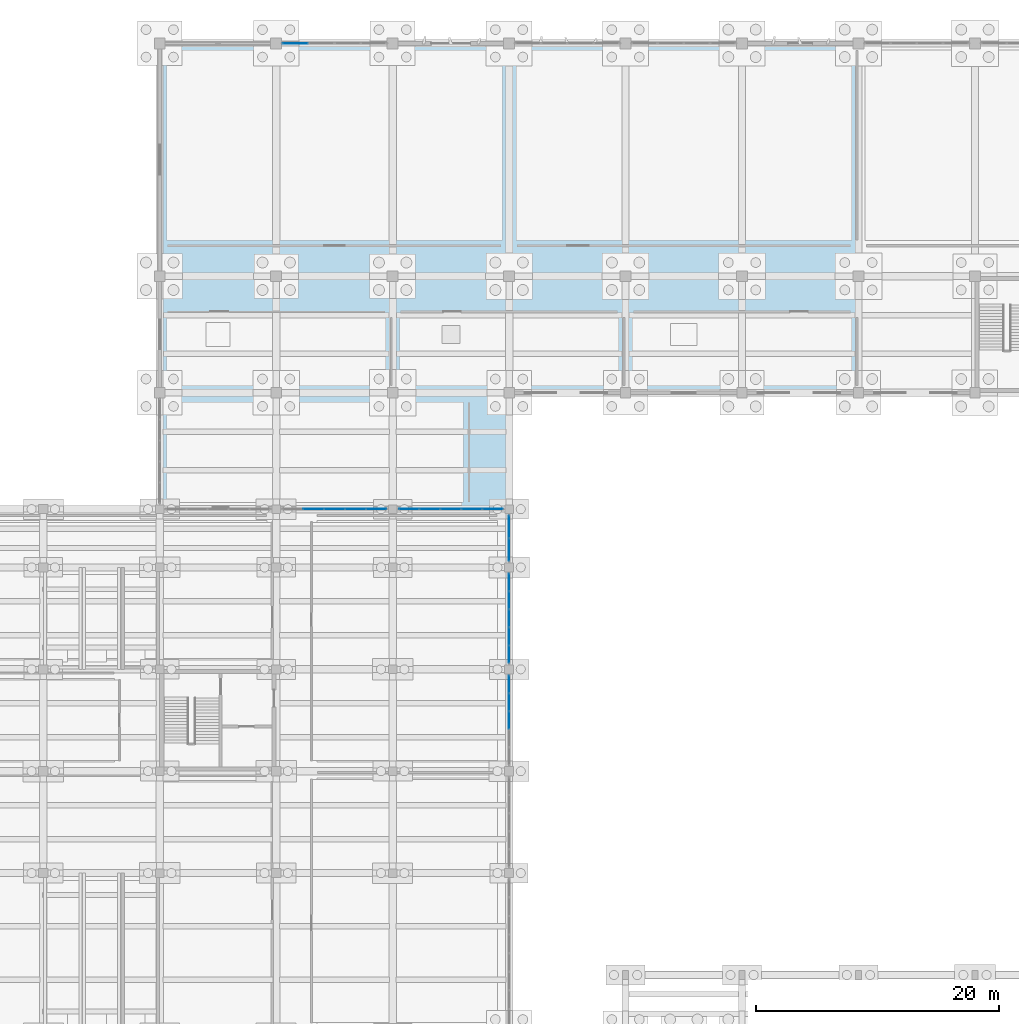
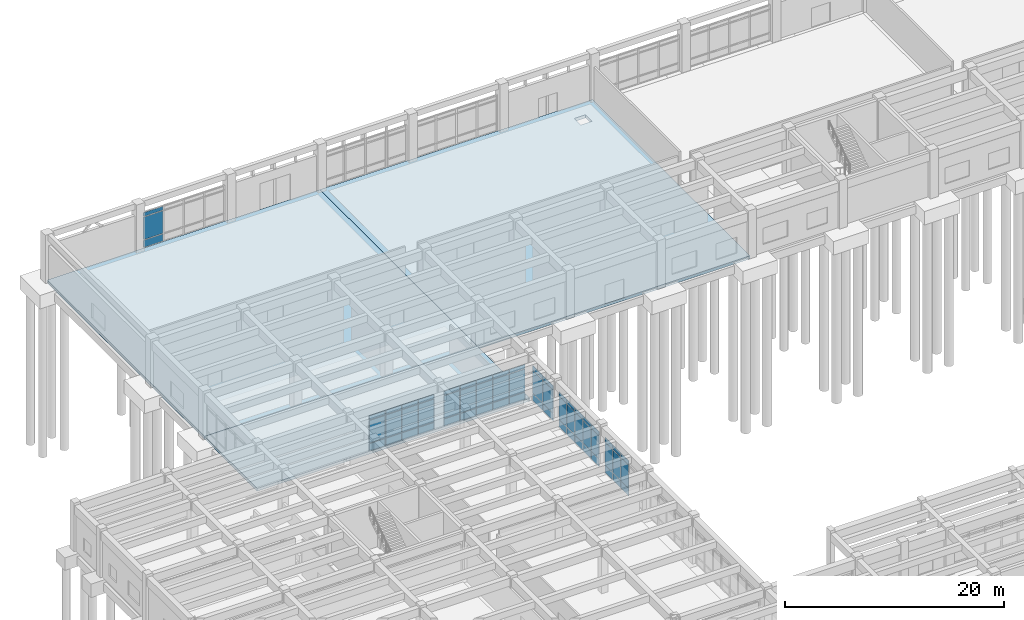
# One storey, part 60 of 102: 60 plates, 3 slabs, 6 elements without a shape of their own.
"""IFC4 building model written with IfcOpenShell, lengths in metres."""

from ifc_helpers import new_model, si_unit, direction, frame, origin, origin_2d, place, context, subcontext, project, spatial, polyline, rectangle, outline, extrude, material, layer, layer_set, type_object, element, aggregate, save


model = new_model("IFC4")

# Units and contexts
model_context = context("Model", 3, precision=1e-05, world=origin(), true_north=direction((0.0, 1.0)))
body_context = subcontext(model_context, "Body", "Model", "MODEL_VIEW")
ifc_project = project(units=[si_unit("LENGTHUNIT", "METRE"), si_unit("AREAUNIT", "SQUARE_METRE"), si_unit("VOLUMEUNIT", "CUBIC_METRE"), si_unit("PLANEANGLEUNIT", "RADIAN"), si_unit("MASSUNIT", "GRAM", prefix="KILO")], contexts=[model_context])

# Site, building, storey
site_placement = place(None, origin())
site = spatial("IfcSite", under=ifc_project, at=site_placement, CompositionType="ELEMENT")
building_placement = place(site_placement, origin())
building = spatial("IfcBuilding", under=site, at=building_placement, Name="Kolvemor Railside Polytechnic", CompositionType="ELEMENT")
storey_placement = place(building_placement, origin())
storey = spatial("IfcBuildingStorey", under=building, at=storey_placement, Name="L00", CompositionType="ELEMENT", Elevation=0.0)

# Curtain wall, plates
ifc_material_1 = material(Name="Anodised marine aluminium and laminated low-E glass", Category="aluminium")
ifc_layer_1 = layer(ifc_material_1, 0.179931640625, Name="CW-UNIT-WKS")
ifc_layer_set_1 = layer_set([ifc_layer_1], Name="Anodised marine aluminium and laminated low-E glass")
curtain_wall_type_1 = type_object("IfcCurtainWallType", Name="CW-UNIT-WKS", PredefinedType="USERDEFINED", material=ifc_layer_set_1)
curtain_wall_1_placement = place(storey_placement, origin())
curtain_wall_1 = element("IfcCurtainWall", 1, at=curtain_wall_1_placement, inside=storey, type_object=curtain_wall_type_1, Name="Curtain Wall L00-001", ObjectType="UNITISED CURTAIN WALL", PredefinedType="USERDEFINED")
ifc_material_2 = material(Name="Hurricane-laminated solar-control low-E glass", Category="glass")
ifc_layer_2 = layer(ifc_material_2, 0.02587890625, Name="CWP-GLZ-03")
ifc_layer_set_2 = layer_set([ifc_layer_2], Name="Hurricane-laminated solar-control low-E glass")
plate_type_1 = type_object("IfcPlateType", Name="CWP-GLZ-03", PredefinedType="CURTAIN_PANEL", material=ifc_layer_set_2)
plate_1_placement = place(storey_placement, frame((30.371337890625, 120.0, 0.074951171875), z_axis=(0.0, 0.0, 1.0), x_axis=(-1.0, 0.0, 0.0)))
plate_1 = element("IfcPlate", 2, at=plate_1_placement, type_object=plate_type_1, Name="CW-WKS panel 4.1", PredefinedType="CURTAIN_PANEL", context=body_context, shape_type="SweptSolid", body=[
    extrude(rectangle(XDim=2.052490234375, YDim=0.02587890625, at=origin_2d()), origin(), (0.0, 0.0, 1.0), 0.78759765625),
])
plate_2_placement = place(storey_placement, frame((30.371337890625, 120.0, 0.9375), z_axis=(0.0, 0.0, 1.0), x_axis=(-1.0, 0.0, 0.0)))
plate_2 = element("IfcPlate", 3, at=plate_2_placement, type_object=plate_type_1, Name="CW-WKS panel 4.2", PredefinedType="CURTAIN_PANEL", context=body_context, shape_type="SweptSolid", body=[
    extrude(rectangle(XDim=2.052490234375, YDim=0.02587890625, at=origin_2d()), origin(), (0.0, 0.0, 1.0), 2.514892578125),
])
plate_3_placement = place(storey_placement, frame((30.371337890625, 120.0, 3.527587890625), z_axis=(0.0, 0.0, 1.0), x_axis=(-1.0, 0.0, 0.0)))
plate_3 = element("IfcPlate", 4, at=plate_3_placement, type_object=plate_type_1, Name="CW-WKS panel 4.3", PredefinedType="CURTAIN_PANEL", context=body_context, shape_type="SweptSolid", body=[
    extrude(rectangle(XDim=2.052490234375, YDim=0.02587890625, at=origin_2d()), origin(), (0.0, 0.0, 1.0), 0.4375),
])
aggregate(curtain_wall_1, [plate_1, plate_2, plate_3])

ifc_material_3 = material(Name="Anodised marine aluminium and laminated low-E glass", Category="aluminium")
ifc_layer_3 = layer(ifc_material_3, 0.179931640625, Name="CW-UNIT-STD")
ifc_layer_set_3 = layer_set([ifc_layer_3], Name="Anodised marine aluminium and laminated low-E glass")
curtain_wall_type_2 = type_object("IfcCurtainWallType", Name="CW-UNIT-STD", PredefinedType="USERDEFINED", material=ifc_layer_set_3)
curtain_wall_2_placement = place(storey_placement, origin())
curtain_wall_2 = element("IfcCurtainWall", 5, at=curtain_wall_2_placement, inside=storey, type_object=curtain_wall_type_2, Name="Curtain Wall L00-075", ObjectType="UNITISED CURTAIN WALL", PredefinedType="USERDEFINED")
ifc_material_4 = material(Name="Hurricane-laminated solar-control low-E glass", Category="glass")
ifc_layer_4 = layer(ifc_material_4, 0.0400390625, Name="CWP-GLZ-10")
ifc_layer_set_4 = layer_set([ifc_layer_4], Name="Hurricane-laminated solar-control low-E glass")
plate_type_2 = type_object("IfcPlateType", Name="CWP-GLZ-10", PredefinedType="CURTAIN_PANEL", material=ifc_layer_set_4)
plate_4_placement = place(storey_placement, frame((48.0, 64.199951171875, 0.06494140625), z_axis=(0.0, 0.0, 1.0), x_axis=(0.0, 1.0, 0.0)))
plate_4 = element("IfcPlate", 6, at=plate_4_placement, type_object=plate_type_2, Name="CW-STD panel 3.1", PredefinedType="CURTAIN_PANEL", context=body_context, shape_type="SweptSolid", body=[
    extrude(rectangle(XDim=1.427001953125, YDim=0.0400390625, at=origin_2d()), origin(), (0.0, 0.0, 1.0), 0.802490234375),
])
plate_5_placement = place(storey_placement, frame((48.0, 64.199951171875, 0.9326171875), z_axis=(0.0, 0.0, 1.0), x_axis=(0.0, 1.0, 0.0)))
plate_5 = element("IfcPlate", 7, at=plate_5_placement, type_object=plate_type_2, Name="CW-STD panel 3.2", PredefinedType="CURTAIN_PANEL", context=body_context, shape_type="SweptSolid", body=[
    extrude(rectangle(XDim=1.427001953125, YDim=0.0400390625, at=origin_2d()), origin(), (0.0, 0.0, 1.0), 2.52490234375),
])
plate_6_placement = place(storey_placement, frame((48.0, 64.199951171875, 3.5224609375), z_axis=(0.0, 0.0, 1.0), x_axis=(0.0, 1.0, 0.0)))
plate_6 = element("IfcPlate", 8, at=plate_6_placement, type_object=plate_type_2, Name="CW-STD panel 3.3", PredefinedType="CURTAIN_PANEL", context=body_context, shape_type="SweptSolid", body=[
    extrude(rectangle(XDim=1.427001953125, YDim=0.0400390625, at=origin_2d()), origin(), (0.0, 0.0, 1.0), 0.452392578125),
])
plate_7_placement = place(storey_placement, frame((48.0, 65.69189453125, 0.06494140625), z_axis=(0.0, 0.0, 1.0), x_axis=(0.0, 1.0, 0.0)))
plate_7 = element("IfcPlate", 9, at=plate_7_placement, type_object=plate_type_2, Name="CW-STD panel 4.1", PredefinedType="CURTAIN_PANEL", context=body_context, shape_type="SweptSolid", body=[
    extrude(rectangle(XDim=1.427001953125, YDim=0.0400390625, at=origin_2d()), origin(), (0.0, 0.0, 1.0), 0.802490234375),
])
plate_8_placement = place(storey_placement, frame((48.0, 65.69189453125, 0.9326171875), z_axis=(0.0, 0.0, 1.0), x_axis=(0.0, 1.0, 0.0)))
plate_8 = element("IfcPlate", 10, at=plate_8_placement, type_object=plate_type_2, Name="CW-STD panel 4.2", PredefinedType="CURTAIN_PANEL", context=body_context, shape_type="SweptSolid", body=[
    extrude(rectangle(XDim=1.427001953125, YDim=0.0400390625, at=origin_2d()), origin(), (0.0, 0.0, 1.0), 2.52490234375),
])
plate_9_placement = place(storey_placement, frame((48.0, 65.69189453125, 3.5224609375), z_axis=(0.0, 0.0, 1.0), x_axis=(0.0, 1.0, 0.0)))
plate_9 = element("IfcPlate", 11, at=plate_9_placement, type_object=plate_type_2, Name="CW-STD panel 4.3", PredefinedType="CURTAIN_PANEL", context=body_context, shape_type="SweptSolid", body=[
    extrude(rectangle(XDim=1.427001953125, YDim=0.0400390625, at=origin_2d()), origin(), (0.0, 0.0, 1.0), 0.452392578125),
])
plate_10_placement = place(storey_placement, frame((48.0, 67.167724609375, 0.06494140625), z_axis=(0.0, 0.0, 1.0), x_axis=(0.0, 1.0, 0.0)))
plate_10 = element("IfcPlate", 12, at=plate_10_placement, type_object=plate_type_2, Name="CW-STD panel 5.1", PredefinedType="CURTAIN_PANEL", context=body_context, shape_type="SweptSolid", body=[
    extrude(rectangle(XDim=1.39453125, YDim=0.0400390625, at=origin_2d()), origin(), (0.0, 0.0, 1.0), 0.802490234375),
])
plate_11_placement = place(storey_placement, frame((48.0, 67.167724609375, 0.9326171875), z_axis=(0.0, 0.0, 1.0), x_axis=(0.0, 1.0, 0.0)))
plate_11 = element("IfcPlate", 13, at=plate_11_placement, type_object=plate_type_2, Name="CW-STD panel 5.2", PredefinedType="CURTAIN_PANEL", context=body_context, shape_type="SweptSolid", body=[
    extrude(rectangle(XDim=1.39453125, YDim=0.0400390625, at=origin_2d()), origin(), (0.0, 0.0, 1.0), 2.52490234375),
])
plate_12_placement = place(storey_placement, frame((48.0, 67.167724609375, 3.5224609375), z_axis=(0.0, 0.0, 1.0), x_axis=(0.0, 1.0, 0.0)))
plate_12 = element("IfcPlate", 14, at=plate_12_placement, type_object=plate_type_2, Name="CW-STD panel 5.3", PredefinedType="CURTAIN_PANEL", context=body_context, shape_type="SweptSolid", body=[
    extrude(rectangle(XDim=1.39453125, YDim=0.0400390625, at=origin_2d()), origin(), (0.0, 0.0, 1.0), 0.452392578125),
])
aggregate(curtain_wall_2, [plate_4, plate_5, plate_6, plate_7, plate_8, plate_9, plate_10, plate_11, plate_12])

curtain_wall_3_placement = place(storey_placement, origin())
curtain_wall_3 = element("IfcCurtainWall", 15, at=curtain_wall_3_placement, inside=storey, type_object=curtain_wall_type_2, Name="Curtain Wall L00-082", ObjectType="UNITISED CURTAIN WALL", PredefinedType="USERDEFINED")
ifc_material_5 = material(Name="Hurricane-laminated solar-control low-E glass", Category="glass")
ifc_layer_5 = layer(ifc_material_5, 0.0419921875, Name="CWP-GLZ-11")
ifc_layer_set_5 = layer_set([ifc_layer_5], Name="Hurricane-laminated solar-control low-E glass")
plate_type_3 = type_object("IfcPlateType", Name="CWP-GLZ-11", PredefinedType="CURTAIN_PANEL", material=ifc_layer_set_5)
plate_13_placement = place(storey_placement, frame((48.0, 69.63232421875, 0.06494140625), z_axis=(0.0, 0.0, 1.0), x_axis=(0.0, 1.0, 0.0)))
plate_13 = element("IfcPlate", 16, at=plate_13_placement, type_object=plate_type_3, Name="CW-STD panel 1.1", PredefinedType="CURTAIN_PANEL", context=body_context, shape_type="SweptSolid", body=[
    extrude(rectangle(XDim=1.39453125, YDim=0.0419921875, at=origin_2d()), origin(), (0.0, 0.0, 1.0), 0.802490234375),
])
plate_14_placement = place(storey_placement, frame((48.0, 69.63232421875, 0.9326171875), z_axis=(0.0, 0.0, 1.0), x_axis=(0.0, 1.0, 0.0)))
plate_14 = element("IfcPlate", 17, at=plate_14_placement, type_object=plate_type_3, Name="CW-STD panel 1.2", PredefinedType="CURTAIN_PANEL", context=body_context, shape_type="SweptSolid", body=[
    extrude(rectangle(XDim=1.39453125, YDim=0.0419921875, at=origin_2d()), origin(), (0.0, 0.0, 1.0), 2.52490234375),
])
plate_15_placement = place(storey_placement, frame((48.0, 69.63232421875, 3.5224609375), z_axis=(0.0, 0.0, 1.0), x_axis=(0.0, 1.0, 0.0)))
plate_15 = element("IfcPlate", 18, at=plate_15_placement, type_object=plate_type_3, Name="CW-STD panel 1.3", PredefinedType="CURTAIN_PANEL", context=body_context, shape_type="SweptSolid", body=[
    extrude(rectangle(XDim=1.39453125, YDim=0.0419921875, at=origin_2d()), origin(), (0.0, 0.0, 1.0), 0.452392578125),
])
plate_16_placement = place(storey_placement, frame((48.0, 71.10791015625, 0.06494140625), z_axis=(0.0, 0.0, 1.0), x_axis=(0.0, 1.0, 0.0)))
plate_16 = element("IfcPlate", 19, at=plate_16_placement, type_object=plate_type_3, Name="CW-STD panel 2.1", PredefinedType="CURTAIN_PANEL", context=body_context, shape_type="SweptSolid", body=[
    extrude(rectangle(XDim=1.427001953125, YDim=0.0419921875, at=origin_2d()), origin(), (0.0, 0.0, 1.0), 0.802490234375),
])
plate_17_placement = place(storey_placement, frame((48.0, 71.10791015625, 0.9326171875), z_axis=(0.0, 0.0, 1.0), x_axis=(0.0, 1.0, 0.0)))
plate_17 = element("IfcPlate", 20, at=plate_17_placement, type_object=plate_type_3, Name="CW-STD panel 2.2", PredefinedType="CURTAIN_PANEL", context=body_context, shape_type="SweptSolid", body=[
    extrude(rectangle(XDim=1.427001953125, YDim=0.0419921875, at=origin_2d()), origin(), (0.0, 0.0, 1.0), 2.52490234375),
])
plate_18_placement = place(storey_placement, frame((48.0, 71.10791015625, 3.5224609375), z_axis=(0.0, 0.0, 1.0), x_axis=(0.0, 1.0, 0.0)))
plate_18 = element("IfcPlate", 21, at=plate_18_placement, type_object=plate_type_3, Name="CW-STD panel 2.3", PredefinedType="CURTAIN_PANEL", context=body_context, shape_type="SweptSolid", body=[
    extrude(rectangle(XDim=1.427001953125, YDim=0.0419921875, at=origin_2d()), origin(), (0.0, 0.0, 1.0), 0.452392578125),
])
plate_19_placement = place(storey_placement, frame((48.0, 72.60009765625, 0.06494140625), z_axis=(0.0, 0.0, 1.0), x_axis=(0.0, 1.0, 0.0)))
plate_19 = element("IfcPlate", 22, at=plate_19_placement, type_object=plate_type_3, Name="CW-STD panel 3.1", PredefinedType="CURTAIN_PANEL", context=body_context, shape_type="SweptSolid", body=[
    extrude(rectangle(XDim=1.427001953125, YDim=0.0419921875, at=origin_2d()), origin(), (0.0, 0.0, 1.0), 0.802490234375),
])
plate_20_placement = place(storey_placement, frame((48.0, 72.60009765625, 0.9326171875), z_axis=(0.0, 0.0, 1.0), x_axis=(0.0, 1.0, 0.0)))
plate_20 = element("IfcPlate", 23, at=plate_20_placement, type_object=plate_type_3, Name="CW-STD panel 3.2", PredefinedType="CURTAIN_PANEL", context=body_context, shape_type="SweptSolid", body=[
    extrude(rectangle(XDim=1.427001953125, YDim=0.0419921875, at=origin_2d()), origin(), (0.0, 0.0, 1.0), 2.52490234375),
])
plate_21_placement = place(storey_placement, frame((48.0, 72.60009765625, 3.5224609375), z_axis=(0.0, 0.0, 1.0), x_axis=(0.0, 1.0, 0.0)))
plate_21 = element("IfcPlate", 24, at=plate_21_placement, type_object=plate_type_3, Name="CW-STD panel 3.3", PredefinedType="CURTAIN_PANEL", context=body_context, shape_type="SweptSolid", body=[
    extrude(rectangle(XDim=1.427001953125, YDim=0.0419921875, at=origin_2d()), origin(), (0.0, 0.0, 1.0), 0.452392578125),
])
plate_22_placement = place(storey_placement, frame((48.0, 74.092041015625, 0.06494140625), z_axis=(0.0, 0.0, 1.0), x_axis=(0.0, 1.0, 0.0)))
plate_22 = element("IfcPlate", 25, at=plate_22_placement, type_object=plate_type_3, Name="CW-STD panel 4.1", PredefinedType="CURTAIN_PANEL", context=body_context, shape_type="SweptSolid", body=[
    extrude(rectangle(XDim=1.427001953125, YDim=0.0419921875, at=origin_2d()), origin(), (0.0, 0.0, 1.0), 0.802490234375),
])
plate_23_placement = place(storey_placement, frame((48.0, 74.092041015625, 0.9326171875), z_axis=(0.0, 0.0, 1.0), x_axis=(0.0, 1.0, 0.0)))
plate_23 = element("IfcPlate", 26, at=plate_23_placement, type_object=plate_type_3, Name="CW-STD panel 4.2", PredefinedType="CURTAIN_PANEL", context=body_context, shape_type="SweptSolid", body=[
    extrude(rectangle(XDim=1.427001953125, YDim=0.0419921875, at=origin_2d()), origin(), (0.0, 0.0, 1.0), 2.52490234375),
])
plate_24_placement = place(storey_placement, frame((48.0, 74.092041015625, 3.5224609375), z_axis=(0.0, 0.0, 1.0), x_axis=(0.0, 1.0, 0.0)))
plate_24 = element("IfcPlate", 27, at=plate_24_placement, type_object=plate_type_3, Name="CW-STD panel 4.3", PredefinedType="CURTAIN_PANEL", context=body_context, shape_type="SweptSolid", body=[
    extrude(rectangle(XDim=1.427001953125, YDim=0.0419921875, at=origin_2d()), origin(), (0.0, 0.0, 1.0), 0.452392578125),
])
plate_25_placement = place(storey_placement, frame((48.0, 75.56787109375, 0.06494140625), z_axis=(0.0, 0.0, 1.0), x_axis=(0.0, 1.0, 0.0)))
plate_25 = element("IfcPlate", 28, at=plate_25_placement, type_object=plate_type_3, Name="CW-STD panel 5.1", PredefinedType="CURTAIN_PANEL", context=body_context, shape_type="SweptSolid", body=[
    extrude(rectangle(XDim=1.39453125, YDim=0.0419921875, at=origin_2d()), origin(), (0.0, 0.0, 1.0), 0.802490234375),
])
plate_26_placement = place(storey_placement, frame((48.0, 75.56787109375, 0.9326171875), z_axis=(0.0, 0.0, 1.0), x_axis=(0.0, 1.0, 0.0)))
plate_26 = element("IfcPlate", 29, at=plate_26_placement, type_object=plate_type_3, Name="CW-STD panel 5.2", PredefinedType="CURTAIN_PANEL", context=body_context, shape_type="SweptSolid", body=[
    extrude(rectangle(XDim=1.39453125, YDim=0.0419921875, at=origin_2d()), origin(), (0.0, 0.0, 1.0), 2.52490234375),
])
plate_27_placement = place(storey_placement, frame((48.0, 75.56787109375, 3.5224609375), z_axis=(0.0, 0.0, 1.0), x_axis=(0.0, 1.0, 0.0)))
plate_27 = element("IfcPlate", 30, at=plate_27_placement, type_object=plate_type_3, Name="CW-STD panel 5.3", PredefinedType="CURTAIN_PANEL", context=body_context, shape_type="SweptSolid", body=[
    extrude(rectangle(XDim=1.39453125, YDim=0.0419921875, at=origin_2d()), origin(), (0.0, 0.0, 1.0), 0.452392578125),
])
aggregate(curtain_wall_3, [plate_13, plate_14, plate_15, plate_16, plate_17, plate_18, plate_19, plate_20, plate_21, plate_22, plate_23, plate_24, plate_25, plate_26, plate_27])

curtain_wall_4_placement = place(storey_placement, origin())
curtain_wall_4 = element("IfcCurtainWall", 31, at=curtain_wall_4_placement, inside=storey, type_object=curtain_wall_type_2, Name="Curtain Wall L00-089", ObjectType="UNITISED CURTAIN WALL", PredefinedType="USERDEFINED")
ifc_material_6 = material(Name="Hurricane-laminated solar-control low-E glass", Category="glass")
ifc_layer_6 = layer(ifc_material_6, 0.0439453125, Name="CWP-GLZ-12")
ifc_layer_set_6 = layer_set([ifc_layer_6], Name="Hurricane-laminated solar-control low-E glass")
plate_type_4 = type_object("IfcPlateType", Name="CWP-GLZ-12", PredefinedType="CURTAIN_PANEL", material=ifc_layer_set_6)
plate_28_placement = place(storey_placement, frame((48.0, 78.251220703125, 0.06494140625), z_axis=(0.0, 0.0, 1.0), x_axis=(0.0, 1.0, 0.0)))
plate_28 = element("IfcPlate", 32, at=plate_28_placement, type_object=plate_type_4, Name="CW-STD panel 1.1", PredefinedType="CURTAIN_PANEL", context=body_context, shape_type="SweptSolid", body=[
    extrude(rectangle(XDim=1.83251953125, YDim=0.0439453125, at=origin_2d()), origin(), (0.0, 0.0, 1.0), 0.802490234375),
])
plate_29_placement = place(storey_placement, frame((48.0, 78.251220703125, 0.9326171875), z_axis=(0.0, 0.0, 1.0), x_axis=(0.0, 1.0, 0.0)))
plate_29 = element("IfcPlate", 33, at=plate_29_placement, type_object=plate_type_4, Name="CW-STD panel 1.2", PredefinedType="CURTAIN_PANEL", context=body_context, shape_type="SweptSolid", body=[
    extrude(rectangle(XDim=1.83251953125, YDim=0.0439453125, at=origin_2d()), origin(), (0.0, 0.0, 1.0), 2.52490234375),
])
plate_30_placement = place(storey_placement, frame((48.0, 78.251220703125, 3.5224609375), z_axis=(0.0, 0.0, 1.0), x_axis=(0.0, 1.0, 0.0)))
plate_30 = element("IfcPlate", 34, at=plate_30_placement, type_object=plate_type_4, Name="CW-STD panel 1.3", PredefinedType="CURTAIN_PANEL", context=body_context, shape_type="SweptSolid", body=[
    extrude(rectangle(XDim=1.83251953125, YDim=0.0439453125, at=origin_2d()), origin(), (0.0, 0.0, 1.0), 0.452392578125),
])
plate_31_placement = place(storey_placement, frame((48.0, 80.148681640625, 0.06494140625), z_axis=(0.0, 0.0, 1.0), x_axis=(0.0, 1.0, 0.0)))
plate_31 = element("IfcPlate", 35, at=plate_31_placement, type_object=plate_type_4, Name="CW-STD panel 2.1", PredefinedType="CURTAIN_PANEL", context=body_context, shape_type="SweptSolid", body=[
    extrude(rectangle(XDim=1.83251953125, YDim=0.0439453125, at=origin_2d()), origin(), (0.0, 0.0, 1.0), 0.802490234375),
])
plate_32_placement = place(storey_placement, frame((48.0, 80.148681640625, 0.9326171875), z_axis=(0.0, 0.0, 1.0), x_axis=(0.0, 1.0, 0.0)))
plate_32 = element("IfcPlate", 36, at=plate_32_placement, type_object=plate_type_4, Name="CW-STD panel 2.2", PredefinedType="CURTAIN_PANEL", context=body_context, shape_type="SweptSolid", body=[
    extrude(rectangle(XDim=1.83251953125, YDim=0.0439453125, at=origin_2d()), origin(), (0.0, 0.0, 1.0), 2.52490234375),
])
plate_33_placement = place(storey_placement, frame((48.0, 80.148681640625, 3.5224609375), z_axis=(0.0, 0.0, 1.0), x_axis=(0.0, 1.0, 0.0)))
plate_33 = element("IfcPlate", 37, at=plate_33_placement, type_object=plate_type_4, Name="CW-STD panel 2.3", PredefinedType="CURTAIN_PANEL", context=body_context, shape_type="SweptSolid", body=[
    extrude(rectangle(XDim=1.83251953125, YDim=0.0439453125, at=origin_2d()), origin(), (0.0, 0.0, 1.0), 0.452392578125),
])
aggregate(curtain_wall_4, [plate_28, plate_29, plate_30, plate_31, plate_32, plate_33])

curtain_wall_5_placement = place(storey_placement, origin())
curtain_wall_5 = element("IfcCurtainWall", 38, at=curtain_wall_5_placement, inside=storey, type_object=curtain_wall_type_2, Name="Curtain Wall L00-029", ObjectType="UNITISED CURTAIN WALL", PredefinedType="USERDEFINED")
ifc_material_7 = material(Name="Hurricane-laminated solar-control low-E glass", Category="glass")
ifc_layer_7 = layer(ifc_material_7, 0.0458984375, Name="CWP-GLZ-13")
ifc_layer_set_7 = layer_set([ifc_layer_7], Name="Hurricane-laminated solar-control low-E glass")
plate_type_5 = type_object("IfcPlateType", Name="CWP-GLZ-13", PredefinedType="CURTAIN_PANEL", material=ifc_layer_set_7)
plate_34_placement = place(storey_placement, frame((37.0478515625, 81.60009765625, 0.06494140625), z_axis=(0.0, 0.0, 1.0), x_axis=(-1.0, 0.0, 0.0)))
plate_34 = element("IfcPlate", 39, at=plate_34_placement, type_object=plate_type_5, Name="CW-STD panel 1.1", PredefinedType="CURTAIN_PANEL", context=body_context, shape_type="SweptSolid", body=[
    extrude(rectangle(XDim=1.634521484375, YDim=0.0458984375, at=origin_2d()), origin(), (0.0, 0.0, 1.0), 0.802490234375),
])
plate_35_placement = place(storey_placement, frame((37.0478515625, 81.60009765625, 0.9326171875), z_axis=(0.0, 0.0, 1.0), x_axis=(-1.0, 0.0, 0.0)))
plate_35 = element("IfcPlate", 40, at=plate_35_placement, type_object=plate_type_5, Name="CW-STD panel 1.2", PredefinedType="CURTAIN_PANEL", context=body_context, shape_type="SweptSolid", body=[
    extrude(rectangle(XDim=1.634521484375, YDim=0.0458984375, at=origin_2d()), origin(), (0.0, 0.0, 1.0), 2.52490234375),
])
plate_36_placement = place(storey_placement, frame((37.0478515625, 81.60009765625, 3.5224609375), z_axis=(0.0, 0.0, 1.0), x_axis=(-1.0, 0.0, 0.0)))
plate_36 = element("IfcPlate", 41, at=plate_36_placement, type_object=plate_type_5, Name="CW-STD panel 1.3", PredefinedType="CURTAIN_PANEL", context=body_context, shape_type="SweptSolid", body=[
    extrude(rectangle(XDim=1.634521484375, YDim=0.0458984375, at=origin_2d()), origin(), (0.0, 0.0, 1.0), 0.452392578125),
])
plate_37_placement = place(storey_placement, frame((35.33203125, 81.60009765625, 0.06494140625), z_axis=(0.0, 0.0, 1.0), x_axis=(-1.0, 0.0, 0.0)))
plate_37 = element("IfcPlate", 42, at=plate_37_placement, type_object=plate_type_5, Name="CW-STD panel 2.1", PredefinedType="CURTAIN_PANEL", context=body_context, shape_type="SweptSolid", body=[
    extrude(rectangle(XDim=1.6669921875, YDim=0.0458984375, at=origin_2d()), origin(), (0.0, 0.0, 1.0), 0.802490234375),
])
plate_38_placement = place(storey_placement, frame((35.33203125, 81.60009765625, 0.9326171875), z_axis=(0.0, 0.0, 1.0), x_axis=(-1.0, 0.0, 0.0)))
plate_38 = element("IfcPlate", 43, at=plate_38_placement, type_object=plate_type_5, Name="CW-STD panel 2.2", PredefinedType="CURTAIN_PANEL", context=body_context, shape_type="SweptSolid", body=[
    extrude(rectangle(XDim=1.6669921875, YDim=0.0458984375, at=origin_2d()), origin(), (0.0, 0.0, 1.0), 2.52490234375),
])
plate_39_placement = place(storey_placement, frame((35.33203125, 81.60009765625, 3.5224609375), z_axis=(0.0, 0.0, 1.0), x_axis=(-1.0, 0.0, 0.0)))
plate_39 = element("IfcPlate", 44, at=plate_39_placement, type_object=plate_type_5, Name="CW-STD panel 2.3", PredefinedType="CURTAIN_PANEL", context=body_context, shape_type="SweptSolid", body=[
    extrude(rectangle(XDim=1.6669921875, YDim=0.0458984375, at=origin_2d()), origin(), (0.0, 0.0, 1.0), 0.452392578125),
])
plate_40_placement = place(storey_placement, frame((33.60009765625, 81.60009765625, 0.06494140625), z_axis=(0.0, 0.0, 1.0), x_axis=(-1.0, 0.0, 0.0)))
plate_40 = element("IfcPlate", 45, at=plate_40_placement, type_object=plate_type_5, Name="CW-STD panel 3.1", PredefinedType="CURTAIN_PANEL", context=body_context, shape_type="SweptSolid", body=[
    extrude(rectangle(XDim=1.6669921875, YDim=0.0458984375, at=origin_2d()), origin(), (0.0, 0.0, 1.0), 0.802490234375),
])
plate_41_placement = place(storey_placement, frame((33.60009765625, 81.60009765625, 0.9326171875), z_axis=(0.0, 0.0, 1.0), x_axis=(-1.0, 0.0, 0.0)))
plate_41 = element("IfcPlate", 46, at=plate_41_placement, type_object=plate_type_5, Name="CW-STD panel 3.2", PredefinedType="CURTAIN_PANEL", context=body_context, shape_type="SweptSolid", body=[
    extrude(rectangle(XDim=1.6669921875, YDim=0.0458984375, at=origin_2d()), origin(), (0.0, 0.0, 1.0), 2.52490234375),
])
plate_42_placement = place(storey_placement, frame((33.60009765625, 81.60009765625, 3.5224609375), z_axis=(0.0, 0.0, 1.0), x_axis=(-1.0, 0.0, 0.0)))
plate_42 = element("IfcPlate", 47, at=plate_42_placement, type_object=plate_type_5, Name="CW-STD panel 3.3", PredefinedType="CURTAIN_PANEL", context=body_context, shape_type="SweptSolid", body=[
    extrude(rectangle(XDim=1.6669921875, YDim=0.0458984375, at=origin_2d()), origin(), (0.0, 0.0, 1.0), 0.452392578125),
])
plate_43_placement = place(storey_placement, frame((31.867919921875, 81.60009765625, 0.06494140625), z_axis=(0.0, 0.0, 1.0), x_axis=(-1.0, 0.0, 0.0)))
plate_43 = element("IfcPlate", 48, at=plate_43_placement, type_object=plate_type_5, Name="CW-STD panel 4.1", PredefinedType="CURTAIN_PANEL", context=body_context, shape_type="SweptSolid", body=[
    extrude(rectangle(XDim=1.6669921875, YDim=0.0458984375, at=origin_2d()), origin(), (0.0, 0.0, 1.0), 0.802490234375),
])
plate_44_placement = place(storey_placement, frame((31.867919921875, 81.60009765625, 0.9326171875), z_axis=(0.0, 0.0, 1.0), x_axis=(-1.0, 0.0, 0.0)))
plate_44 = element("IfcPlate", 49, at=plate_44_placement, type_object=plate_type_5, Name="CW-STD panel 4.2", PredefinedType="CURTAIN_PANEL", context=body_context, shape_type="SweptSolid", body=[
    extrude(rectangle(XDim=1.6669921875, YDim=0.0458984375, at=origin_2d()), origin(), (0.0, 0.0, 1.0), 2.52490234375),
])
plate_45_placement = place(storey_placement, frame((31.867919921875, 81.60009765625, 3.5224609375), z_axis=(0.0, 0.0, 1.0), x_axis=(-1.0, 0.0, 0.0)))
plate_45 = element("IfcPlate", 50, at=plate_45_placement, type_object=plate_type_5, Name="CW-STD panel 4.3", PredefinedType="CURTAIN_PANEL", context=body_context, shape_type="SweptSolid", body=[
    extrude(rectangle(XDim=1.6669921875, YDim=0.0458984375, at=origin_2d()), origin(), (0.0, 0.0, 1.0), 0.452392578125),
])
aggregate(curtain_wall_5, [plate_34, plate_35, plate_36, plate_37, plate_38, plate_39, plate_40, plate_41, plate_42, plate_43, plate_44, plate_45])

curtain_wall_6_placement = place(storey_placement, origin())
curtain_wall_6 = element("IfcCurtainWall", 51, at=curtain_wall_6_placement, inside=storey, type_object=curtain_wall_type_2, Name="Curtain Wall L00-030", ObjectType="UNITISED CURTAIN WALL", PredefinedType="USERDEFINED")
ifc_material_8 = material(Name="Hurricane-laminated solar-control low-E glass", Category="glass")
ifc_layer_8 = layer(ifc_material_8, 0.048095703125, Name="CWP-GLZ-14")
ifc_layer_set_8 = layer_set([ifc_layer_8], Name="Hurricane-laminated solar-control low-E glass")
plate_type_6 = type_object("IfcPlateType", Name="CWP-GLZ-14", PredefinedType="CURTAIN_PANEL", material=ifc_layer_set_8)
plate_46_placement = place(storey_placement, frame((46.647705078125, 81.60009765625, 0.06494140625), z_axis=(0.0, 0.0, 1.0), x_axis=(-1.0, 0.0, 0.0)))
plate_46 = element("IfcPlate", 52, at=plate_46_placement, type_object=plate_type_6, Name="CW-STD panel 1.1", PredefinedType="CURTAIN_PANEL", context=body_context, shape_type="SweptSolid", body=[
    extrude(rectangle(XDim=1.634521484375, YDim=0.048095703125, at=origin_2d()), origin(), (0.0, 0.0, 1.0), 0.802490234375),
])
plate_47_placement = place(storey_placement, frame((46.647705078125, 81.60009765625, 0.9326171875), z_axis=(0.0, 0.0, 1.0), x_axis=(-1.0, 0.0, 0.0)))
plate_47 = element("IfcPlate", 53, at=plate_47_placement, type_object=plate_type_6, Name="CW-STD panel 1.2", PredefinedType="CURTAIN_PANEL", context=body_context, shape_type="SweptSolid", body=[
    extrude(rectangle(XDim=1.634521484375, YDim=0.048095703125, at=origin_2d()), origin(), (0.0, 0.0, 1.0), 2.52490234375),
])
plate_48_placement = place(storey_placement, frame((46.647705078125, 81.60009765625, 3.5224609375), z_axis=(0.0, 0.0, 1.0), x_axis=(-1.0, 0.0, 0.0)))
plate_48 = element("IfcPlate", 54, at=plate_48_placement, type_object=plate_type_6, Name="CW-STD panel 1.3", PredefinedType="CURTAIN_PANEL", context=body_context, shape_type="SweptSolid", body=[
    extrude(rectangle(XDim=1.634521484375, YDim=0.048095703125, at=origin_2d()), origin(), (0.0, 0.0, 1.0), 0.452392578125),
])
plate_49_placement = place(storey_placement, frame((44.931884765625, 81.60009765625, 0.06494140625), z_axis=(0.0, 0.0, 1.0), x_axis=(-1.0, 0.0, 0.0)))
plate_49 = element("IfcPlate", 55, at=plate_49_placement, type_object=plate_type_6, Name="CW-STD panel 2.1", PredefinedType="CURTAIN_PANEL", context=body_context, shape_type="SweptSolid", body=[
    extrude(rectangle(XDim=1.6669921875, YDim=0.048095703125, at=origin_2d()), origin(), (0.0, 0.0, 1.0), 0.802490234375),
])
plate_50_placement = place(storey_placement, frame((44.931884765625, 81.60009765625, 0.9326171875), z_axis=(0.0, 0.0, 1.0), x_axis=(-1.0, 0.0, 0.0)))
plate_50 = element("IfcPlate", 56, at=plate_50_placement, type_object=plate_type_6, Name="CW-STD panel 2.2", PredefinedType="CURTAIN_PANEL", context=body_context, shape_type="SweptSolid", body=[
    extrude(rectangle(XDim=1.6669921875, YDim=0.048095703125, at=origin_2d()), origin(), (0.0, 0.0, 1.0), 2.52490234375),
])
plate_51_placement = place(storey_placement, frame((44.931884765625, 81.60009765625, 3.5224609375), z_axis=(0.0, 0.0, 1.0), x_axis=(-1.0, 0.0, 0.0)))
plate_51 = element("IfcPlate", 57, at=plate_51_placement, type_object=plate_type_6, Name="CW-STD panel 2.3", PredefinedType="CURTAIN_PANEL", context=body_context, shape_type="SweptSolid", body=[
    extrude(rectangle(XDim=1.6669921875, YDim=0.048095703125, at=origin_2d()), origin(), (0.0, 0.0, 1.0), 0.452392578125),
])
plate_52_placement = place(storey_placement, frame((43.199951171875, 81.60009765625, 0.06494140625), z_axis=(0.0, 0.0, 1.0), x_axis=(-1.0, 0.0, 0.0)))
plate_52 = element("IfcPlate", 58, at=plate_52_placement, type_object=plate_type_6, Name="CW-STD panel 3.1", PredefinedType="CURTAIN_PANEL", context=body_context, shape_type="SweptSolid", body=[
    extrude(rectangle(XDim=1.6669921875, YDim=0.048095703125, at=origin_2d()), origin(), (0.0, 0.0, 1.0), 0.802490234375),
])
plate_53_placement = place(storey_placement, frame((43.199951171875, 81.60009765625, 0.9326171875), z_axis=(0.0, 0.0, 1.0), x_axis=(-1.0, 0.0, 0.0)))
plate_53 = element("IfcPlate", 59, at=plate_53_placement, type_object=plate_type_6, Name="CW-STD panel 3.2", PredefinedType="CURTAIN_PANEL", context=body_context, shape_type="SweptSolid", body=[
    extrude(rectangle(XDim=1.6669921875, YDim=0.048095703125, at=origin_2d()), origin(), (0.0, 0.0, 1.0), 2.52490234375),
])
plate_54_placement = place(storey_placement, frame((43.199951171875, 81.60009765625, 3.5224609375), z_axis=(0.0, 0.0, 1.0), x_axis=(-1.0, 0.0, 0.0)))
plate_54 = element("IfcPlate", 60, at=plate_54_placement, type_object=plate_type_6, Name="CW-STD panel 3.3", PredefinedType="CURTAIN_PANEL", context=body_context, shape_type="SweptSolid", body=[
    extrude(rectangle(XDim=1.6669921875, YDim=0.048095703125, at=origin_2d()), origin(), (0.0, 0.0, 1.0), 0.452392578125),
])
plate_55_placement = place(storey_placement, frame((41.468017578125, 81.60009765625, 0.06494140625), z_axis=(0.0, 0.0, 1.0), x_axis=(-1.0, 0.0, 0.0)))
plate_55 = element("IfcPlate", 61, at=plate_55_placement, type_object=plate_type_6, Name="CW-STD panel 4.1", PredefinedType="CURTAIN_PANEL", context=body_context, shape_type="SweptSolid", body=[
    extrude(rectangle(XDim=1.6669921875, YDim=0.048095703125, at=origin_2d()), origin(), (0.0, 0.0, 1.0), 0.802490234375),
])
plate_56_placement = place(storey_placement, frame((41.468017578125, 81.60009765625, 0.9326171875), z_axis=(0.0, 0.0, 1.0), x_axis=(-1.0, 0.0, 0.0)))
plate_56 = element("IfcPlate", 62, at=plate_56_placement, type_object=plate_type_6, Name="CW-STD panel 4.2", PredefinedType="CURTAIN_PANEL", context=body_context, shape_type="SweptSolid", body=[
    extrude(rectangle(XDim=1.6669921875, YDim=0.048095703125, at=origin_2d()), origin(), (0.0, 0.0, 1.0), 2.52490234375),
])
plate_57_placement = place(storey_placement, frame((41.468017578125, 81.60009765625, 3.5224609375), z_axis=(0.0, 0.0, 1.0), x_axis=(-1.0, 0.0, 0.0)))
plate_57 = element("IfcPlate", 63, at=plate_57_placement, type_object=plate_type_6, Name="CW-STD panel 4.3", PredefinedType="CURTAIN_PANEL", context=body_context, shape_type="SweptSolid", body=[
    extrude(rectangle(XDim=1.6669921875, YDim=0.048095703125, at=origin_2d()), origin(), (0.0, 0.0, 1.0), 0.452392578125),
])
plate_58_placement = place(storey_placement, frame((39.752197265625, 81.60009765625, 0.06494140625), z_axis=(0.0, 0.0, 1.0), x_axis=(-1.0, 0.0, 0.0)))
plate_58 = element("IfcPlate", 64, at=plate_58_placement, type_object=plate_type_6, Name="CW-STD panel 5.1", PredefinedType="CURTAIN_PANEL", context=body_context, shape_type="SweptSolid", body=[
    extrude(rectangle(XDim=1.634521484375, YDim=0.048095703125, at=origin_2d()), origin(), (0.0, 0.0, 1.0), 0.802490234375),
])
plate_59_placement = place(storey_placement, frame((39.752197265625, 81.60009765625, 0.9326171875), z_axis=(0.0, 0.0, 1.0), x_axis=(-1.0, 0.0, 0.0)))
plate_59 = element("IfcPlate", 65, at=plate_59_placement, type_object=plate_type_6, Name="CW-STD panel 5.2", PredefinedType="CURTAIN_PANEL", context=body_context, shape_type="SweptSolid", body=[
    extrude(rectangle(XDim=1.634521484375, YDim=0.048095703125, at=origin_2d()), origin(), (0.0, 0.0, 1.0), 2.52490234375),
])
plate_60_placement = place(storey_placement, frame((39.752197265625, 81.60009765625, 3.5224609375), z_axis=(0.0, 0.0, 1.0), x_axis=(-1.0, 0.0, 0.0)))
plate_60 = element("IfcPlate", 66, at=plate_60_placement, type_object=plate_type_6, Name="CW-STD panel 5.3", PredefinedType="CURTAIN_PANEL", context=body_context, shape_type="SweptSolid", body=[
    extrude(rectangle(XDim=1.634521484375, YDim=0.048095703125, at=origin_2d()), origin(), (0.0, 0.0, 1.0), 0.452392578125),
])
aggregate(curtain_wall_6, [plate_46, plate_47, plate_48, plate_49, plate_50, plate_51, plate_52, plate_53, plate_54, plate_55, plate_56, plate_57, plate_58, plate_59, plate_60])

# Slabs
ifc_material_9 = material(Name="Concrete C40/50", Category="concrete")
ifc_layer_9 = layer(ifc_material_9, 0.300048828125, Name="SLB-BASE-STD")
ifc_layer_set_9 = layer_set([ifc_layer_9], Name="Concrete C40/50")
slab_type_1 = type_object("IfcSlabType", Name="SLB-BASE-STD", PredefinedType="BASESLAB", material=ifc_layer_set_9)
slab_1_placement = place(storey_placement, frame((0.0, 0.0, -0.300048828125)))
element("IfcSlab", 67, at=slab_1_placement, inside=storey, type_object=slab_type_1, Name="West Link Base Slab L00-06", PredefinedType="BASESLAB", context=body_context, shape_type="SweptSolid", body=[
    extrude(outline(polyline([(19.199951171875, 81.60009765625), (48.0, 81.60009765625), (48.0, 91.199951171875), (19.199951171875, 91.199951171875), (19.199951171875, 81.60009765625)])), origin(), (0.0, 0.0, 1.0), 0.300048828125),
])
ifc_material_10 = material(Name="Concrete C40/50", Category="concrete")
ifc_layer_10 = layer(ifc_material_10, 0.35009765625, Name="SLB-BASE-WKS")
ifc_layer_set_10 = layer_set([ifc_layer_10], Name="Concrete C40/50")
slab_type_2 = type_object("IfcSlabType", Name="SLB-BASE-WKS", PredefinedType="BASESLAB", material=ifc_layer_set_10)
slab_2_placement = place(storey_placement, frame((0.0, 0.0, -0.35009765625)))
element("IfcSlab", 68, at=slab_2_placement, inside=storey, type_object=slab_type_2, Name="Workshop Base Slab L00-01", PredefinedType="BASESLAB", context=body_context, shape_type="SweptSolid", body=[
    extrude(outline(polyline([(19.199951171875, 91.199951171875), (48.0, 91.199951171875), (48.0, 120.0), (19.199951171875, 120.0), (19.199951171875, 91.199951171875)])), origin(), (0.0, 0.0, 1.0), 0.35009765625),
])
slab_3_placement = place(storey_placement, frame((0.0, 0.0, -0.35009765625)))
element("IfcSlab", 69, at=slab_3_placement, inside=storey, type_object=slab_type_2, Name="Workshop Base Slab L00-02", PredefinedType="BASESLAB", context=body_context, shape_type="SweptSolid", body=[
    extrude(outline(polyline([(48.0, 91.199951171875), (76.800048828125, 91.199951171875), (76.800048828125, 120.0), (48.0, 120.0), (48.0, 91.199951171875)]), holes=[polyline([(73.800048828125, 117.0), (75.0, 117.0), (75.0, 118.199951171875), (73.800048828125, 118.199951171875), (73.800048828125, 117.0)])]), origin(), (0.0, 0.0, 1.0), 0.35009765625),
])

save(model, "model.ifc")
